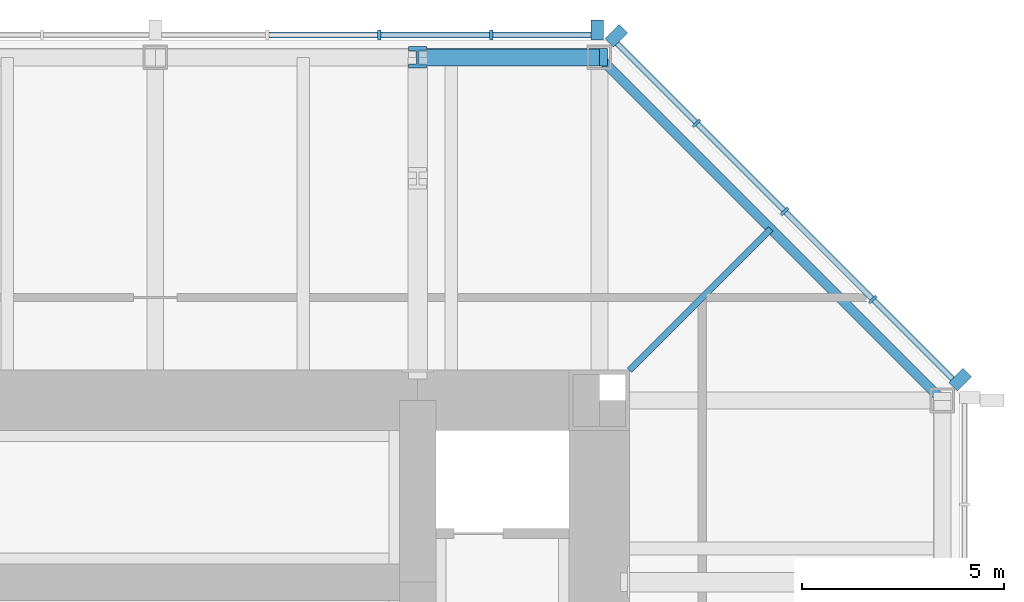
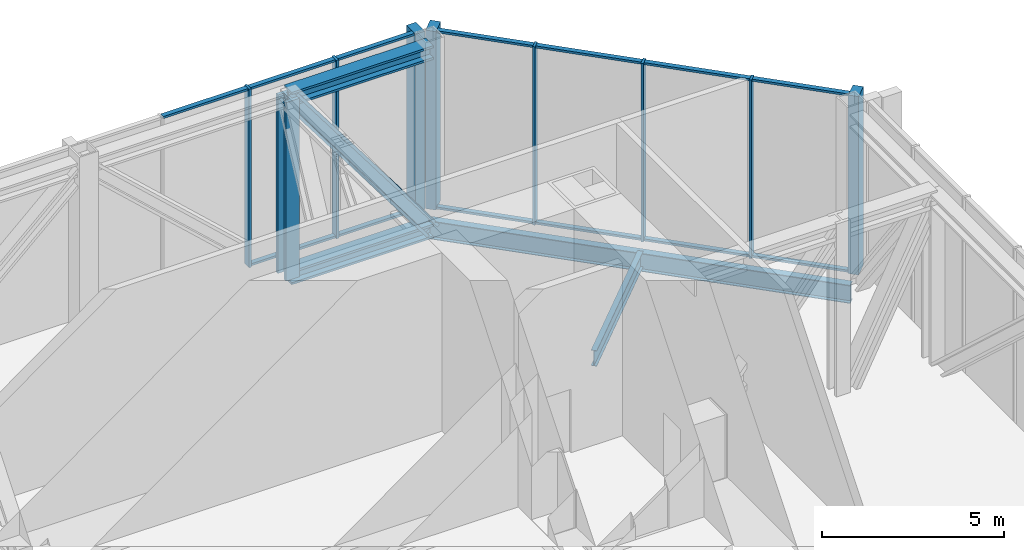
# One storey, part 7 of 11: 23 members, 4 beams, 2 elements without a shape of their own.
"""IFC4 building model written with IfcOpenShell, lengths in metres."""

import ifcopenshell
import ifcopenshell.guid

model = None  # the IFC model being written
_history = None  # IfcOwnerHistory: only IFC2X3 demands one
_inside = {}  # id of a spatial element -> (the spatial element, [elements in it])
_under = {}  # id of a project, library or spatial element -> (it, [spatial elements below it])
_declared = {}  # id of a project -> (the project, [libraries it declares])
_typed = {}  # id of a type object -> (the type object, [elements of that type])
_made_of = {}  # id of a material, layer set ... -> (it, [elements and type objects made of it])


def new_model(schema):
    """Start an empty IFC model of exactly this schema.

    Asked for "IFC4X3", IfcOpenShell would pick the latest addendum, in which some entities
    have other attributes; the version numbers below select the first issue.
    IFC2X3 requires an IfcOwnerHistory on every rooted entity: one is made here for all.
    """
    global model, _history
    if schema == "IFC4X3":
        model = ifcopenshell.file(schema_version=(4, 3, 0, 0))
    else:
        model = ifcopenshell.file(schema=schema)
    _inside.clear()
    _under.clear()
    _declared.clear()
    _typed.clear()
    _made_of.clear()
    _history = None
    if model.schema == "IFC2X3":
        org = make("IfcOrganization", Name="unknown")
        user = make(
            "IfcPersonAndOrganization",
            ThePerson=make("IfcPerson", FamilyName="unknown"),
            TheOrganization=org,
        )
        app = make(
            "IfcApplication",
            ApplicationDeveloper=org,
            Version="unknown",
            ApplicationFullName="unknown",
            ApplicationIdentifier="unknown",
        )
        _history = make(
            "IfcOwnerHistory",
            OwningUser=user,
            OwningApplication=app,
            ChangeAction="ADDED",
            CreationDate=0,
        )
    return model


def make(cls, **values):
    """One entity of the class cls with the attributes given. An attribute that is None is left unset."""
    return model.create_entity(
        cls, **{name: value for name, value in values.items() if value is not None}
    )


def rooted(cls, **values):
    """An entity with a GlobalId (a new one), such as an element, a storey or a relation."""
    return make(cls, GlobalId=ifcopenshell.guid.new(), OwnerHistory=_history, **values)


def si_unit(unit_type, name, prefix=None):
    """IfcSIUnit, for example si_unit("LENGTHUNIT", "METRE", prefix="MILLI")."""
    return make("IfcSIUnit", UnitType=unit_type, Prefix=prefix, Name=name)


def assignment(units):
    """IfcUnitAssignment: the units of a project."""
    return None if units is None else make("IfcUnitAssignment", Units=units)


def point(xyz):
    """IfcCartesianPoint."""
    return None if xyz is None else make("IfcCartesianPoint", Coordinates=xyz)


def direction(xyz):
    """IfcDirection."""
    return None if xyz is None else make("IfcDirection", DirectionRatios=xyz)


def frame(location, z_axis=None, x_axis=None):
    """IfcAxis2Placement3D, a coordinate frame: its origin and axes. An axis left out is left unset."""
    return make(
        "IfcAxis2Placement3D",
        Location=point(location),
        Axis=direction(z_axis),
        RefDirection=direction(x_axis),
    )


def frame_2d(location, x_axis=None):
    """IfcAxis2Placement2D, a coordinate frame in the plane: its origin and x axis."""
    return make(
        "IfcAxis2Placement2D", Location=point(location), RefDirection=direction(x_axis)
    )


def origin():
    """The frame at (0, 0, 0) with its axes left unset."""
    return frame((0.0, 0.0, 0.0))


def origin_2d():
    """The frame at (0, 0) in the plane with its x axis left unset."""
    return frame_2d((0.0, 0.0))


def place(relative_to, where):
    """IfcLocalPlacement: puts the frame where relative to a parent placement (None: the world)."""
    return make(
        "IfcLocalPlacement", PlacementRelTo=relative_to, RelativePlacement=where
    )


def context(
    kind, dimensions, precision=None, world=None, true_north=None, identifier=None
):
    """IfcGeometricRepresentationContext, for example the 3D "Model" context."""
    return make(
        "IfcGeometricRepresentationContext",
        ContextIdentifier=identifier,
        ContextType=kind,
        CoordinateSpaceDimension=dimensions,
        Precision=precision,
        WorldCoordinateSystem=world,
        TrueNorth=true_north,
    )


def subcontext(parent, identifier, kind, view, scale=None):
    """IfcGeometricRepresentationSubContext, for example "Body" below "Model"."""
    return make(
        "IfcGeometricRepresentationSubContext",
        ContextIdentifier=identifier,
        ContextType=kind,
        ParentContext=parent,
        TargetScale=scale,
        TargetView=view,
    )


def project(units=None, contexts=None):
    """IfcProject with its units and contexts."""
    return rooted(
        "IfcProject",
        Name="project",
        RepresentationContexts=contexts,
        UnitsInContext=assignment(units),
    )


def spatial(cls, under=None, at=None, **own):
    """A site, building, storey or space (cls), placed at a placement, below another one or the project."""
    s = rooted(cls, ObjectPlacement=at, **own)
    if under is not None:
        _under.setdefault(under.id(), (under, []))[1].append(s)
    return s


def profile(cls, at=None, kind="AREA", **sizes):
    """A parametric profile (cls). Its sizes go by their IFC names, for example OverallWidth=200.0."""
    return make(cls, ProfileType=kind, Position=at, **sizes)


def rectangle(**sizes):
    """IfcRectangleProfileDef."""
    return profile("IfcRectangleProfileDef", **sizes)


def i_section(**sizes):
    """IfcIShapeProfileDef."""
    return profile("IfcIShapeProfileDef", **sizes)


def extrude(swept, where, along, depth):
    """IfcExtrudedAreaSolid: the profile swept, set in the frame where, extruded along a direction by depth."""
    return make(
        "IfcExtrudedAreaSolid",
        SweptArea=swept,
        Position=where,
        ExtrudedDirection=direction(along),
        Depth=depth,
    )


def shape(context_of_items, identifier, shape_type, items):
    """IfcShapeRepresentation: the items that make up one representation, for example the "Body"."""
    return make(
        "IfcShapeRepresentation",
        ContextOfItems=context_of_items,
        RepresentationIdentifier=identifier,
        RepresentationType=shape_type,
        Items=items,
    )


def material(Name=None, Category=None):
    """IfcMaterial."""
    return make("IfcMaterial", Name=Name, Category=Category)


def material_profile(
    of_material, cross_section, Name=None, Category=None, Priority=None
):
    """IfcMaterialProfile: a cross section and its material."""
    return make(
        "IfcMaterialProfile",
        Name=Name,
        Material=of_material,
        Profile=cross_section,
        Priority=Priority,
        Category=Category,
    )


def profile_set(profiles, Name=None, composite=None):
    """IfcMaterialProfileSet."""
    return make(
        "IfcMaterialProfileSet",
        Name=Name,
        MaterialProfiles=profiles,
        CompositeProfile=composite,
    )


def made_of(thing, what):
    """Note that an element or type object is made of a material, layer set ...; save() writes the relation."""
    if what is not None:
        _made_of.setdefault(what.id(), (what, []))[1].append(thing)
    return thing


def type_object(cls, material=None, **own):
    """A type object (cls), such as IfcWallType, which elements share."""
    return made_of(rooted(cls, **own), material)


def element(
    cls,
    number,
    at=None,
    inside=None,
    cuts=None,
    type_object=None,
    material=None,
    context=None,
    identifier="Body",
    shape_type=None,
    held_by="IfcProductDefinitionShape",
    body=None,
    shapes=None,
    **own,
):
    """One element of the class cls, such as IfcWall. Its Tag is "e" and its number.

    at: its placement. inside: the storey or other place that contains it. cuts: it is an
    opening in that element (IfcRelVoidsElement). A single representation is given by context,
    identifier, shape_type and body (its items); several are given by shapes. held_by: the class
    of the entity that holds the representations. save() writes the other relations.
    """
    e = rooted(cls, Tag="e%d" % number, ObjectPlacement=at, **own)
    if body is not None:
        shapes = [shape(context, identifier, shape_type, body)]
    if shapes is not None:
        e.Representation = make(held_by, Representations=shapes)
    if inside is not None:
        _inside.setdefault(inside.id(), (inside, []))[1].append(e)
    if cuts is not None:
        rooted(
            "IfcRelVoidsElement", RelatingBuildingElement=cuts, RelatedOpeningElement=e
        )
    if type_object is not None:
        _typed.setdefault(type_object.id(), (type_object, []))[1].append(e)
    return made_of(e, material)


def aggregate(whole, parts):
    """IfcRelAggregates: a whole, such as a stair, and the parts it consists of."""
    return rooted("IfcRelAggregates", RelatingObject=whole, RelatedObjects=parts)


def save(model, path):
    """Write the relations noted so far, then the file.

    IfcRelAggregates (storeys below a building ...), IfcRelContainedInSpatialStructure (elements
    in a storey), IfcRelDefinesByType, IfcRelAssociatesMaterial and IfcRelDeclares: one each for
    every whole, place, type object, material and project.
    """
    for whole, parts in _under.values():
        aggregate(whole, parts)
    for where, things in _inside.values():
        rooted(
            "IfcRelContainedInSpatialStructure",
            RelatedElements=things,
            RelatingStructure=where,
        )
    for kind, things in _typed.values():
        rooted("IfcRelDefinesByType", RelatedObjects=things, RelatingType=kind)
    for what, things in _made_of.values():
        rooted("IfcRelAssociatesMaterial", RelatedObjects=things, RelatingMaterial=what)
    for by, libraries in _declared.values():
        rooted("IfcRelDeclares", RelatingContext=by, RelatedDefinitions=libraries)
    model.write(path)


model = new_model("IFC4")

# Units and contexts
model_context = context("Model", 3, precision=1e-05, world=origin(), true_north=direction((0.0, 1.0)))
body_context = subcontext(model_context, "Body", "Model", "MODEL_VIEW")
ifc_project = project(units=[si_unit("LENGTHUNIT", "METRE"), si_unit("AREAUNIT", "SQUARE_METRE"), si_unit("VOLUMEUNIT", "CUBIC_METRE"), si_unit("PLANEANGLEUNIT", "RADIAN"), si_unit("MASSUNIT", "GRAM", prefix="KILO")], contexts=[model_context])

# Site, building, storey
site_placement = place(None, origin())
site = spatial("IfcSite", under=ifc_project, at=site_placement, CompositionType="ELEMENT")
building_placement = place(site_placement, origin())
building = spatial("IfcBuilding", under=site, at=building_placement, Name="Trevanion Tower", CompositionType="ELEMENT")
storey_placement = place(building_placement, frame((0.0, 0.0, 257.199951171875)))
storey = spatial("IfcBuildingStorey", under=building, at=storey_placement, Name="L63", CompositionType="ELEMENT", Elevation=257.199951171875)

# Beams
ifc_material_1 = material(Name="Steel ASTM A992 Grade 50", Category="steel")
ifc_material_profile_1 = material_profile(ifc_material_1, i_section(OverallWidth=0.1650390625, OverallDepth=0.52587890625, WebThickness=0.0087890625, FlangeThickness=0.011474609375, at=origin_2d()), Name="W21X44")
ifc_profile_set_1 = profile_set([ifc_material_profile_1], Name="Steel ASTM A992 Grade 50")
beam_type_1 = type_object("IfcBeamType", Name="B14 W21X44", PredefinedType="BEAM", material=ifc_profile_set_1)
beam_1_placement = place(storey_placement, frame((11.75, 11.75, -0.452880859375), z_axis=(0.707106781187, 0.707106781187, 0.0), x_axis=(-0.707106781187, 0.707106781187, 0.0)))
element("IfcBeam", 1, at=beam_1_placement, inside=storey, type_object=beam_type_1, Name="B14 L63", PredefinedType="BEAM", context=body_context, shape_type="SweptSolid", body=[
    extrude(i_section(OverallWidth=0.1650390625, OverallDepth=0.52587890625, WebThickness=0.0087890625, FlangeThickness=0.011474609375, at=origin_2d()), origin(), (0.0, 0.0, 1.0), 4.94970703125),
])
ifc_material_2 = material(Name="Steel ASTM A992 Grade 50", Category="steel")
ifc_material_profile_2 = material_profile(ifc_material_2, i_section(OverallWidth=0.421630859375, OverallDepth=0.46484375, WebThickness=0.044921875, FlangeThickness=0.072509765625, at=origin_2d()), Name="W14X398")
ifc_profile_set_2 = profile_set([ifc_material_profile_2], Name="Steel ASTM A992 Grade 50")
beam_type_2 = type_object("IfcBeamType", Name="BT3-CH W14X398", PredefinedType="BEAM", material=ifc_profile_set_2)
for number, where, z_axis, x_axis, name in (
    (2, (11.0, 19.5, -0.48974609375), (-1.0, 0.0, 0.0), (0.0, -1.0, 0.0), "BT3 belt truss chord"),
    (3, (11.0, 19.5, 5.51025390625), (-1.0, 0.0, 0.0), (0.0, -1.0, 0.0), "BT3 belt truss chord"),
):
    element("IfcBeam", number, at=place(storey_placement, frame(where, z_axis=z_axis, x_axis=x_axis)), inside=storey, type_object=beam_type_2, Name=name, PredefinedType="BEAM", context=body_context, shape_type="SweptSolid", body=[
        extrude(i_section(OverallWidth=0.421630859375, OverallDepth=0.46484375, WebThickness=0.044921875, FlangeThickness=0.072509765625, at=origin_2d()), origin(), (0.0, 0.0, 1.0), 4.5),
    ])

# Members
ifc_material_3 = material(Name="Steel ASTM A992 Grade 50", Category="steel")
ifc_material_profile_3 = material_profile(ifc_material_3, i_section(OverallWidth=0.431884765625, OverallDepth=0.497802734375, WebThickness=0.0556640625, FlangeThickness=0.0888671875, at=origin_2d()), Name="W14X500")
ifc_profile_set_3 = profile_set([ifc_material_profile_3], Name="Steel ASTM A992 Grade 50")
member_type_1 = type_object("IfcMemberType", Name="BT3-D W14X500", PredefinedType="BRACE", material=ifc_profile_set_3)
member_1_placement = place(storey_placement, frame((11.0, 19.5, -0.48974609375), z_axis=(-0.6, 0.0, 0.8), x_axis=(0.0, -1.0, 0.0)))
element("IfcMember", 4, at=member_1_placement, inside=storey, type_object=member_type_1, Name="BT3 belt truss diagonal", PredefinedType="BRACE", context=body_context, shape_type="SweptSolid", body=[
    extrude(i_section(OverallWidth=0.431884765625, OverallDepth=0.497802734375, WebThickness=0.0556640625, FlangeThickness=0.0888671875, at=origin_2d()), origin(), (0.0, 0.0, 1.0), 7.5),
])
ifc_material_4 = material(Name="Steel ASTM A992 Grade 50", Category="steel")
ifc_material_profile_4 = material_profile(ifc_material_4, i_section(OverallWidth=0.44189453125, OverallDepth=0.53076171875, WebThickness=0.06591796875, FlangeThickness=0.105712890625, at=origin_2d()), Name="W14X605")
ifc_profile_set_4 = profile_set([ifc_material_profile_4], Name="Steel ASTM A992 Grade 50")
member_type_2 = type_object("IfcMemberType", Name="BT3-V W14X605", PredefinedType="POST", material=ifc_profile_set_4)
member_2_placement = place(storey_placement, frame((6.5, 19.5, -0.48974609375), z_axis=(0.0, 0.0, 1.0), x_axis=(1.0, 0.0, 0.0)))
element("IfcMember", 5, at=member_2_placement, inside=storey, type_object=member_type_2, Name="BT3 belt truss vertical", PredefinedType="POST", context=body_context, shape_type="SweptSolid", body=[
    extrude(i_section(OverallWidth=0.44189453125, OverallDepth=0.53076171875, WebThickness=0.06591796875, FlangeThickness=0.105712890625, at=origin_2d()), origin(), (0.0, 0.0, 1.0), 6.0),
])

# Curtain wall, members
ifc_material_5 = material(Name="Aluminium louvres", Category="aluminium")
curtain_wall_type = type_object("IfcCurtainWallType", Name="CWL curtain wall", PredefinedType="USERDEFINED", material=ifc_material_5)
curtain_wall_1_placement = place(storey_placement, origin())
curtain_wall_1 = element("IfcCurtainWall", 6, at=curtain_wall_1_placement, inside=storey, type_object=curtain_wall_type, Name="CWL L63 1", ObjectType="LOUVRE SCREEN", PredefinedType="USERDEFINED")
ifc_material_6 = material(Name="Aluminium extrusion, anodised bronze", Category="aluminium")
ifc_material_profile_5 = material_profile(ifc_material_6, rectangle(XDim=0.074951171875, YDim=0.25, at=origin_2d()), Name="CWL mullion")
ifc_profile_set_5 = profile_set([ifc_material_profile_5], Name="Aluminium extrusion, anodised bronze")
member_type_3 = type_object("IfcMemberType", Name="CWL mullion", PredefinedType="MULLION", material=ifc_profile_set_5)
member_3_placement = place(storey_placement, frame((17.775390625, 13.502197265625, -0.18994140625), z_axis=(0.0, 0.0, 1.0), x_axis=(-0.707106781187, 0.707106781187, 0.0)))
member_3 = element("IfcMember", 7, at=member_3_placement, type_object=member_type_3, Name="CWL mullion 2", PredefinedType="MULLION", context=body_context, shape_type="SweptSolid", body=[
    extrude(rectangle(XDim=0.074951171875, YDim=0.25, at=origin_2d()), origin(), (0.0, 0.0, 1.0), 6.0),
])
member_4_placement = place(storey_placement, frame((15.593017578125, 15.684814453125, -0.18994140625), z_axis=(0.0, 0.0, 1.0), x_axis=(-0.707106781187, 0.707106781187, 0.0)))
member_4 = element("IfcMember", 8, at=member_4_placement, type_object=member_type_3, Name="CWL mullion 3", PredefinedType="MULLION", context=body_context, shape_type="SweptSolid", body=[
    extrude(rectangle(XDim=0.074951171875, YDim=0.25, at=origin_2d()), origin(), (0.0, 0.0, 1.0), 6.0),
])
member_5_placement = place(storey_placement, frame((13.410400390625, 17.867431640625, -0.18994140625), z_axis=(0.0, 0.0, 1.0), x_axis=(-0.707106781187, 0.707106781187, 0.0)))
member_5 = element("IfcMember", 9, at=member_5_placement, type_object=member_type_3, Name="CWL mullion 4", PredefinedType="MULLION", context=body_context, shape_type="SweptSolid", body=[
    extrude(rectangle(XDim=0.074951171875, YDim=0.25, at=origin_2d()), origin(), (0.0, 0.0, 1.0), 6.0),
])

curtain_wall_2_placement = place(storey_placement, origin())
curtain_wall_2 = element("IfcCurtainWall", 10, at=curtain_wall_2_placement, inside=storey, type_object=curtain_wall_type, Name="CWL L63 2", ObjectType="LOUVRE SCREEN", PredefinedType="USERDEFINED")
member_6_placement = place(storey_placement, frame((8.323486328125, 20.050048828125, -0.18994140625), z_axis=(0.0, 0.0, 1.0), x_axis=(-1.0, 0.0, 0.0)))
member_6 = element("IfcMember", 11, at=member_6_placement, type_object=member_type_3, Name="CWL mullion 2", PredefinedType="MULLION", context=body_context, shape_type="SweptSolid", body=[
    extrude(rectangle(XDim=0.074951171875, YDim=0.25, at=origin_2d()), origin(), (0.0, 0.0, 1.0), 6.0),
])
member_7_placement = place(storey_placement, frame((5.548828125, 20.050048828125, -0.18994140625), z_axis=(0.0, 0.0, 1.0), x_axis=(-1.0, 0.0, 0.0)))
member_7 = element("IfcMember", 12, at=member_7_placement, type_object=member_type_3, Name="CWL mullion 3", PredefinedType="MULLION", context=body_context, shape_type="SweptSolid", body=[
    extrude(rectangle(XDim=0.074951171875, YDim=0.25, at=origin_2d()), origin(), (0.0, 0.0, 1.0), 6.0),
])

# Member
ifc_material_7 = material(Name="Aluminium extrusion, anodised bronze", Category="aluminium")
ifc_material_profile_6 = material_profile(ifc_material_7, rectangle(XDim=0.300048828125, YDim=0.5, at=origin_2d()), Name="CWL pier mullion")
ifc_profile_set_6 = profile_set([ifc_material_profile_6], Name="Aluminium extrusion, anodised bronze")
member_type_4 = type_object("IfcMemberType", Name="CWL pier mullion", PredefinedType="MULLION", material=ifc_profile_set_6)
member_8_placement = place(storey_placement, frame((19.9404296875, 11.51416015625, -0.18994140625), z_axis=(0.0, 0.0, 1.0), x_axis=(-0.707106781187, 0.707106781187, 0.0)))
member_8 = element("IfcMember", 13, at=member_8_placement, type_object=member_type_4, Name="CWL pier mullion 1", PredefinedType="MULLION", context=body_context, shape_type="SweptSolid", body=[
    extrude(rectangle(XDim=0.300048828125, YDim=0.5, at=origin_2d()), origin(), (0.0, 0.0, 1.0), 6.0),
])

member_9_placement = place(storey_placement, frame((11.42236328125, 20.0322265625, -0.18994140625), z_axis=(0.0, 0.0, 1.0), x_axis=(-0.707106781187, 0.707106781187, 0.0)))
member_9 = element("IfcMember", 14, at=member_9_placement, type_object=member_type_4, Name="CWL pier mullion 5", PredefinedType="MULLION", context=body_context, shape_type="SweptSolid", body=[
    extrude(rectangle(XDim=0.300048828125, YDim=0.5, at=origin_2d()), origin(), (0.0, 0.0, 1.0), 6.0),
])

member_10_placement = place(storey_placement, frame((10.94775390625, 20.175048828125, -0.18994140625), z_axis=(0.0, 0.0, 1.0), x_axis=(-1.0, 0.0, 0.0)))
member_10 = element("IfcMember", 15, at=member_10_placement, type_object=member_type_4, Name="CWL pier mullion 1", PredefinedType="MULLION", context=body_context, shape_type="SweptSolid", body=[
    extrude(rectangle(XDim=0.300048828125, YDim=0.5, at=origin_2d()), origin(), (0.0, 0.0, 1.0), 6.0),
])

ifc_material_8 = material(Name="Aluminium extrusion, anodised bronze", Category="aluminium")
ifc_material_profile_7 = material_profile(ifc_material_8, rectangle(XDim=0.14990234375, YDim=0.074951171875, at=origin_2d()), Name="CWL transom")
ifc_profile_set_7 = profile_set([ifc_material_profile_7], Name="Aluminium extrusion, anodised bronze")
member_type_5 = type_object("IfcMemberType", Name="CWL transom", PredefinedType="USERDEFINED", material=ifc_profile_set_7)
member_11_placement = place(storey_placement, frame((19.745849609375, 11.531982421875, -0.15234375), z_axis=(-0.707106781187, 0.707106781187, 0.0), x_axis=(-0.707106781187, -0.707106781187, 0.0)))
member_11 = element("IfcMember", 16, at=member_11_placement, type_object=member_type_5, Name="CWL transom 1.1", ObjectType="TRANSOM", PredefinedType="USERDEFINED", context=body_context, shape_type="SweptSolid", body=[
    extrude(rectangle(XDim=0.14990234375, YDim=0.074951171875, at=origin_2d()), origin(), (0.0, 0.0, 1.0), 2.7490234375),
])

member_12_placement = place(storey_placement, frame((19.745849609375, 11.531982421875, 5.7724609375), z_axis=(-0.707106781187, 0.707106781187, 0.0), x_axis=(-0.707106781187, -0.707106781187, 0.0)))
member_12 = element("IfcMember", 17, at=member_12_placement, type_object=member_type_5, Name="CWL transom 1.2", ObjectType="TRANSOM", PredefinedType="USERDEFINED", context=body_context, shape_type="SweptSolid", body=[
    extrude(rectangle(XDim=0.14990234375, YDim=0.074951171875, at=origin_2d()), origin(), (0.0, 0.0, 1.0), 2.7490234375),
])

member_13_placement = place(storey_placement, frame((17.7490234375, 13.52880859375, -0.15234375), z_axis=(-0.707106781187, 0.707106781187, 0.0), x_axis=(-0.707106781187, -0.707106781187, 0.0)))
member_13 = element("IfcMember", 18, at=member_13_placement, type_object=member_type_5, Name="CWL transom 2.1", ObjectType="TRANSOM", PredefinedType="USERDEFINED", context=body_context, shape_type="SweptSolid", body=[
    extrude(rectangle(XDim=0.14990234375, YDim=0.074951171875, at=origin_2d()), origin(), (0.0, 0.0, 1.0), 3.01171875),
])

member_14_placement = place(storey_placement, frame((17.7490234375, 13.52880859375, 5.7724609375), z_axis=(-0.707106781187, 0.707106781187, 0.0), x_axis=(-0.707106781187, -0.707106781187, 0.0)))
member_14 = element("IfcMember", 19, at=member_14_placement, type_object=member_type_5, Name="CWL transom 2.2", ObjectType="TRANSOM", PredefinedType="USERDEFINED", context=body_context, shape_type="SweptSolid", body=[
    extrude(rectangle(XDim=0.14990234375, YDim=0.074951171875, at=origin_2d()), origin(), (0.0, 0.0, 1.0), 3.01171875),
])

member_15_placement = place(storey_placement, frame((15.56640625, 15.71142578125, -0.15234375), z_axis=(-0.707106781187, 0.707106781187, 0.0), x_axis=(-0.707106781187, -0.707106781187, 0.0)))
member_15 = element("IfcMember", 20, at=member_15_placement, type_object=member_type_5, Name="CWL transom 3.1", ObjectType="TRANSOM", PredefinedType="USERDEFINED", context=body_context, shape_type="SweptSolid", body=[
    extrude(rectangle(XDim=0.14990234375, YDim=0.074951171875, at=origin_2d()), origin(), (0.0, 0.0, 1.0), 3.011474609375),
])

member_16_placement = place(storey_placement, frame((15.56640625, 15.71142578125, 5.7724609375), z_axis=(-0.707106781187, 0.707106781187, 0.0), x_axis=(-0.707106781187, -0.707106781187, 0.0)))
member_16 = element("IfcMember", 21, at=member_16_placement, type_object=member_type_5, Name="CWL transom 3.2", ObjectType="TRANSOM", PredefinedType="USERDEFINED", context=body_context, shape_type="SweptSolid", body=[
    extrude(rectangle(XDim=0.14990234375, YDim=0.074951171875, at=origin_2d()), origin(), (0.0, 0.0, 1.0), 3.011474609375),
])

member_17_placement = place(storey_placement, frame((13.3837890625, 17.89404296875, -0.15234375), z_axis=(-0.707106781187, 0.707106781187, 0.0), x_axis=(-0.707106781187, -0.707106781187, 0.0)))
member_17 = element("IfcMember", 22, at=member_17_placement, type_object=member_type_5, Name="CWL transom 4.1", ObjectType="TRANSOM", PredefinedType="USERDEFINED", context=body_context, shape_type="SweptSolid", body=[
    extrude(rectangle(XDim=0.14990234375, YDim=0.074951171875, at=origin_2d()), origin(), (0.0, 0.0, 1.0), 2.7490234375),
])

member_18_placement = place(storey_placement, frame((13.3837890625, 17.89404296875, 5.7724609375), z_axis=(-0.707106781187, 0.707106781187, 0.0), x_axis=(-0.707106781187, -0.707106781187, 0.0)))
member_18 = element("IfcMember", 23, at=member_18_placement, type_object=member_type_5, Name="CWL transom 4.2", ObjectType="TRANSOM", PredefinedType="USERDEFINED", context=body_context, shape_type="SweptSolid", body=[
    extrude(rectangle(XDim=0.14990234375, YDim=0.074951171875, at=origin_2d()), origin(), (0.0, 0.0, 1.0), 2.7490234375),
])

aggregate(curtain_wall_1, [member_8, member_3, member_4, member_5, member_9, member_11, member_12, member_13, member_14, member_15, member_16, member_17, member_18])

member_19_placement = place(storey_placement, frame((10.7978515625, 20.050048828125, -0.15234375), z_axis=(-1.0, 0.0, 0.0), x_axis=(0.0, -1.0, 0.0)))
member_19 = element("IfcMember", 24, at=member_19_placement, type_object=member_type_5, Name="CWL transom 1.1", ObjectType="TRANSOM", PredefinedType="USERDEFINED", context=body_context, shape_type="SweptSolid", body=[
    extrude(rectangle(XDim=0.14990234375, YDim=0.074951171875, at=origin_2d()), origin(), (0.0, 0.0, 1.0), 2.43701171875),
])

member_20_placement = place(storey_placement, frame((10.7978515625, 20.050048828125, 5.7724609375), z_axis=(-1.0, 0.0, 0.0), x_axis=(0.0, -1.0, 0.0)))
member_20 = element("IfcMember", 25, at=member_20_placement, type_object=member_type_5, Name="CWL transom 1.2", ObjectType="TRANSOM", PredefinedType="USERDEFINED", context=body_context, shape_type="SweptSolid", body=[
    extrude(rectangle(XDim=0.14990234375, YDim=0.074951171875, at=origin_2d()), origin(), (0.0, 0.0, 1.0), 2.43701171875),
])

member_21_placement = place(storey_placement, frame((8.285888671875, 20.050048828125, -0.15234375), z_axis=(-1.0, 0.0, 0.0), x_axis=(0.0, -1.0, 0.0)))
member_21 = element("IfcMember", 26, at=member_21_placement, type_object=member_type_5, Name="CWL transom 2.1", ObjectType="TRANSOM", PredefinedType="USERDEFINED", context=body_context, shape_type="SweptSolid", body=[
    extrude(rectangle(XDim=0.14990234375, YDim=0.074951171875, at=origin_2d()), origin(), (0.0, 0.0, 1.0), 2.699462890625),
])

member_22_placement = place(storey_placement, frame((8.285888671875, 20.050048828125, 5.7724609375), z_axis=(-1.0, 0.0, 0.0), x_axis=(0.0, -1.0, 0.0)))
member_22 = element("IfcMember", 27, at=member_22_placement, type_object=member_type_5, Name="CWL transom 2.2", ObjectType="TRANSOM", PredefinedType="USERDEFINED", context=body_context, shape_type="SweptSolid", body=[
    extrude(rectangle(XDim=0.14990234375, YDim=0.074951171875, at=origin_2d()), origin(), (0.0, 0.0, 1.0), 2.699462890625),
])

member_23_placement = place(storey_placement, frame((5.511474609375, 20.050048828125, 5.7724609375), z_axis=(-1.0, 0.0, 0.0), x_axis=(0.0, -1.0, 0.0)))
member_23 = element("IfcMember", 28, at=member_23_placement, type_object=member_type_5, Name="CWL transom 3.2", ObjectType="TRANSOM", PredefinedType="USERDEFINED", context=body_context, shape_type="SweptSolid", body=[
    extrude(rectangle(XDim=0.14990234375, YDim=0.074951171875, at=origin_2d()), origin(), (0.0, 0.0, 1.0), 2.699462890625),
])

aggregate(curtain_wall_2, [member_10, member_6, member_7, member_19, member_20, member_21, member_22, member_23])

# Beam
ifc_material_9 = material(Name="Steel ASTM A992 Grade 50", Category="steel")
ifc_material_profile_8 = material_profile(ifc_material_9, i_section(OverallWidth=0.22900390625, OverallDepth=0.612060546875, WebThickness=0.011962890625, FlangeThickness=0.01953125, at=origin_2d()), Name="W24X84")
ifc_profile_set_8 = profile_set([ifc_material_profile_8], Name="Steel ASTM A992 Grade 50")
beam_type_3 = type_object("IfcBeamType", Name="SB11 W24X84", PredefinedType="SPANDREL", material=ifc_profile_set_8)
beam_2_placement = place(storey_placement, frame((19.5, 11.0, -0.49609375), z_axis=(-0.707106781187, 0.707106781187, 0.0), x_axis=(-0.707106781187, -0.707106781187, 0.0)))
element("IfcBeam", 29, at=beam_2_placement, inside=storey, type_object=beam_type_3, Name="SB11 L63", PredefinedType="SPANDREL", context=body_context, shape_type="SweptSolid", body=[
    extrude(i_section(OverallWidth=0.22900390625, OverallDepth=0.612060546875, WebThickness=0.011962890625, FlangeThickness=0.01953125, at=origin_2d()), origin(), (0.0, 0.0, 1.0), 12.020751953125),
])

save(model, "model.ifc")
